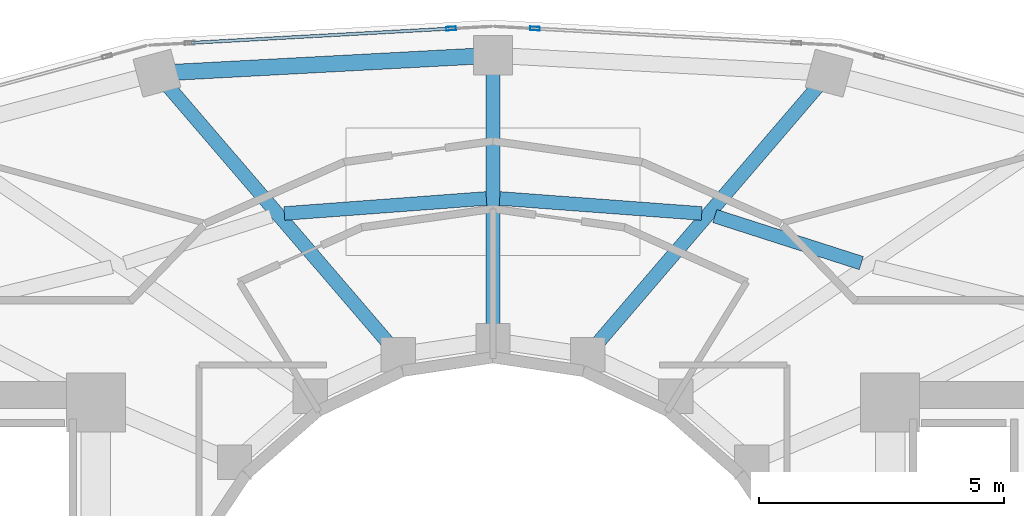
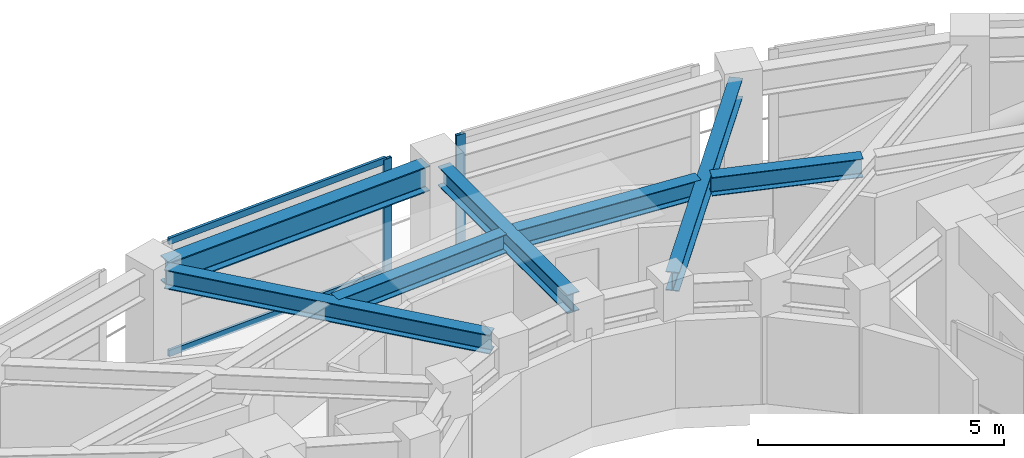
# One storey, part 8 of 19: 7 beams, 4 members, 2 elements without a shape of their own.
"""IFC4 building model written with IfcOpenShell, lengths in metres."""

from ifc_helpers import new_model, si_unit, direction, frame, origin, origin_2d, place, context, subcontext, project, spatial, hollow_rectangle, i_section, extrude, material, layer, layer_set, material_profile, profile_set, type_object, element, aggregate, save


model = new_model("IFC4")

# Units and contexts
model_context = context("Model", 3, precision=1e-05, world=origin(), true_north=direction((0.0, 1.0)))
body_context = subcontext(model_context, "Body", "Model", "MODEL_VIEW")
ifc_project = project(units=[si_unit("LENGTHUNIT", "METRE"), si_unit("AREAUNIT", "SQUARE_METRE"), si_unit("VOLUMEUNIT", "CUBIC_METRE"), si_unit("PLANEANGLEUNIT", "RADIAN"), si_unit("MASSUNIT", "GRAM", prefix="KILO")], contexts=[model_context])

# Site, building, storey
site_placement = place(None, origin())
site = spatial("IfcSite", under=ifc_project, at=site_placement, CompositionType="ELEMENT")
building_placement = place(site_placement, origin())
building = spatial("IfcBuilding", under=site, at=building_placement, Name="Solvane Sanctuary Tower", CompositionType="ELEMENT")
storey_placement = place(building_placement, frame((0.0, 0.0, 201.60009765625)))
storey = spatial("IfcBuildingStorey", under=building, at=storey_placement, Name="L61", CompositionType="ELEMENT", Elevation=201.60009765625)

# Beams
ifc_material_1 = material(Name="Steel ASTM A992 Grade 50", Category="steel")
ifc_material_profile_1 = material_profile(ifc_material_1, i_section(OverallWidth=0.282958984375, OverallDepth=0.471923828125, WebThickness=0.013671875, FlangeThickness=0.022216796875, FilletRadius=0.013916015625, at=origin_2d()), Name="W18X97")
ifc_profile_set_1 = profile_set([ifc_material_profile_1], Name="Steel ASTM A992 Grade 50")
beam_type_1 = type_object("IfcBeamType", Name="Beam B-RAD-Z4 W18X97", PredefinedType="JOIST", material=ifc_profile_set_1)
beam_1_placement = place(storey_placement, frame((34.113037109375, 31.38427734375, 2.641845703125), z_axis=(0.651023809724, 0.759057309544, 0.0), x_axis=(-0.759057309544, 0.651023809724, 0.0)))
element("IfcBeam", 1, at=beam_1_placement, inside=storey, type_object=beam_type_1, Name="L61 Radial Composite Floor Beam 03", PredefinedType="JOIST", context=body_context, shape_type="SweptSolid", body=[
    extrude(i_section(OverallWidth=0.282958984375, OverallDepth=0.471923828125, WebThickness=0.013671875, FlangeThickness=0.022216796875, FilletRadius=0.013916015625, at=origin_2d()), origin(), (0.0, 0.0, 1.0), 7.005615234375),
])
beam_2_placement = place(storey_placement, frame((32.0, 31.739990234375, 2.641845703125), z_axis=(0.0, 1.0, 0.0), x_axis=(-1.0, 0.0, 0.0)))
element("IfcBeam", 2, at=beam_2_placement, inside=storey, type_object=beam_type_1, Name="L61 Radial Composite Floor Beam 04", PredefinedType="JOIST", context=body_context, shape_type="SweptSolid", body=[
    extrude(i_section(OverallWidth=0.282958984375, OverallDepth=0.471923828125, WebThickness=0.013671875, FlangeThickness=0.022216796875, FilletRadius=0.013916015625, at=origin_2d()), origin(), (0.0, 0.0, 1.0), 5.260009765625),
])
beam_3_placement = place(storey_placement, frame((29.886962890625, 31.38427734375, 2.641845703125), z_axis=(-0.651023809724, 0.759057309544, 0.0), x_axis=(-0.759057309544, -0.651023809724, 0.0)))
element("IfcBeam", 3, at=beam_3_placement, inside=storey, type_object=beam_type_1, Name="L61 Radial Composite Floor Beam 05", PredefinedType="JOIST", context=body_context, shape_type="SweptSolid", body=[
    extrude(i_section(OverallWidth=0.282958984375, OverallDepth=0.471923828125, WebThickness=0.013671875, FlangeThickness=0.022216796875, FilletRadius=0.013916015625, at=origin_2d()), origin(), (0.0, 0.0, 1.0), 7.005615234375),
])
ifc_material_profile_2 = material_profile(ifc_material_1, i_section(OverallWidth=0.280029296875, OverallDepth=0.462890625, WebThickness=0.0107421875, FlangeThickness=0.017333984375, FilletRadius=0.013916015625, at=origin_2d()), Name="W18X76")
ifc_profile_set_2 = profile_set([ifc_material_profile_2], Name="Steel ASTM A992 Grade 50")
beam_type_2 = type_object("IfcBeamType", Name="Beam B-SEC-JOIST W18X76", PredefinedType="JOIST", material=ifc_profile_set_2)
for number, where, z_axis, x_axis, name in (
    (4, (27.74267578125, 34.052978515625, 2.646484375), (0.997239150169, 0.074256833823, 0.0), (-0.074256833823, 0.997239150169, 0.0), "L61 Secondary Circumferential Joist 05-04"),
    (5, (32.135986328125, 34.35986328125, 2.646484375), (0.997239150169, -0.074256833823, 0.0), (0.074256833823, 0.997239150169, 0.0), "L61 Secondary Circumferential Joist 04-03"),
):
    element("IfcBeam", number, at=place(storey_placement, frame(where, z_axis=z_axis, x_axis=x_axis)), inside=storey, type_object=beam_type_2, Name=name, PredefinedType="JOIST", context=body_context, shape_type="SweptSolid", body=[
        extrude(i_section(OverallWidth=0.280029296875, OverallDepth=0.462890625, WebThickness=0.0107421875, FlangeThickness=0.017333984375, FilletRadius=0.013916015625, at=origin_2d()), origin(), (0.0, 0.0, 1.0), 4.1328125),
    ])
beam_4_placement = place(storey_placement, frame((36.5234375, 34.001220703125, 2.646484375), z_axis=(0.952124803756, -0.305709597612, 0.0), x_axis=(0.305709597612, 0.952124803756, 0.0)))
element("IfcBeam", 6, at=beam_4_placement, inside=storey, type_object=beam_type_2, Name="L61 Secondary Circumferential Joist 03-02", PredefinedType="JOIST", context=body_context, shape_type="SweptSolid", body=[
    extrude(i_section(OverallWidth=0.280029296875, OverallDepth=0.462890625, WebThickness=0.0107421875, FlangeThickness=0.017333984375, FilletRadius=0.013916015625, at=origin_2d()), origin(), (0.0, 0.0, 1.0), 3.139404296875),
])
ifc_material_profile_3 = material_profile(ifc_material_1, i_section(OverallWidth=0.327880859375, OverallDepth=0.6279296875, WebThickness=0.0166015625, FlangeThickness=0.027587890625, FilletRadius=0.01611328125, at=origin_2d()), Name="W24X146")
ifc_profile_set_3 = profile_set([ifc_material_profile_3], Name="Steel ASTM A992 Grade 50")
beam_type_3 = type_object("IfcBeamType", Name="Beam B-SPAND-Z3 W24X146", PredefinedType="SPANDREL", material=ifc_profile_set_3)
beam_5_placement = place(storey_placement, frame((25.423583984375, 36.92919921875, 2.56396484375), z_axis=(0.998579926022, 0.05327411516, 0.0), x_axis=(-0.05327411516, 0.998579926022, 0.0)))
element("IfcBeam", 7, at=beam_5_placement, inside=storey, type_object=beam_type_3, Name="L61 Perimeter Spandrel Beam TC05-TC04", PredefinedType="SPANDREL", context=body_context, shape_type="SweptSolid", body=[
    extrude(i_section(OverallWidth=0.327880859375, OverallDepth=0.6279296875, WebThickness=0.0166015625, FlangeThickness=0.027587890625, FilletRadius=0.01611328125, at=origin_2d()), origin(), (0.0, 0.0, 1.0), 6.305908203125),
])

# Curtain wall, member
ifc_material_2 = material(Name="Anodised Aluminium 6063-T6", Category="aluminium")
ifc_layer = layer(ifc_material_2, 0.18994140625, Name="Anodised Aluminium 6063-T6")
ifc_layer_set = layer_set([ifc_layer], Name="Anodised Aluminium 6063-T6")
curtain_wall_type = type_object("IfcCurtainWallType", Name="Curtain Wall CW-OPER", PredefinedType="NOTDEFINED", material=ifc_layer_set)
curtain_wall_1_placement = place(storey_placement, origin())
curtain_wall_1 = element("IfcCurtainWall", 8, at=curtain_wall_1_placement, inside=storey, type_object=curtain_wall_type, Name="L61 CW-OPER Facade Run 05", PredefinedType="NOTDEFINED")
ifc_material_profile_4 = material_profile(ifc_material_2, hollow_rectangle(XDim=0.074951171875, YDim=0.199951171875, WallThickness=0.00390625, at=origin_2d()), Name="ALU200X75X4")
ifc_profile_set_4 = profile_set([ifc_material_profile_4], Name="Anodised Aluminium 6063-T6")
member_type_1 = type_object("IfcMemberType", Name="Member M-CW-MUL-1 ALU200X75X4", PredefinedType="MULLION", material=ifc_profile_set_4)
member_1_placement = place(storey_placement, frame((32.856201171875, 37.824951171875, 0.0), z_axis=(0.0, 0.0, 1.0), x_axis=(-0.054917553251, -0.99849089247, 0.0)))
member_1 = element("IfcMember", 9, at=member_1_placement, type_object=member_type_1, Name="CW-OPER mullion 2", PredefinedType="MULLION", context=body_context, shape_type="SweptSolid", body=[
    extrude(hollow_rectangle(XDim=0.074951171875, YDim=0.199951171875, WallThickness=0.00390625, at=origin_2d()), origin(), (0.0, 0.0, 1.0), 2.83984375),
])
aggregate(curtain_wall_1, [member_1])

# Curtain wall, members
curtain_wall_2_placement = place(storey_placement, origin())
curtain_wall_2 = element("IfcCurtainWall", 10, at=curtain_wall_2_placement, inside=storey, type_object=curtain_wall_type, Name="L61 CW-OPER Facade Run 06", PredefinedType="NOTDEFINED")
member_2_placement = place(storey_placement, frame((31.143798828125, 37.824951171875, 0.0), z_axis=(0.0, 0.0, 1.0), x_axis=(0.054917553251, -0.99849089247, 0.0)))
member_2 = element("IfcMember", 11, at=member_2_placement, type_object=member_type_1, Name="CW-OPER mullion 1", PredefinedType="MULLION", context=body_context, shape_type="SweptSolid", body=[
    extrude(hollow_rectangle(XDim=0.074951171875, YDim=0.199951171875, WallThickness=0.00390625, at=origin_2d()), origin(), (0.0, 0.0, 1.0), 2.83984375),
])
ifc_material_profile_5 = material_profile(ifc_material_2, hollow_rectangle(XDim=0.06494140625, YDim=0.159912109375, WallThickness=0.00341796875, at=origin_2d()), Name="ALU160X65X3.5")
ifc_profile_set_5 = profile_set([ifc_material_profile_5], Name="Anodised Aluminium 6063-T6")
member_type_2 = type_object("IfcMemberType", Name="Member M-CW-TRN-1 ALU160X65X3.5", PredefinedType="USERDEFINED", material=ifc_profile_set_5)
member_3_placement = place(storey_placement, frame((31.106201171875, 37.822998046875, 0.032470703125), z_axis=(-0.998490884706, -0.054917694407, 0.0), x_axis=(0.054917694407, -0.998490884706, 0.0)))
member_3 = element("IfcMember", 12, at=member_3_placement, type_object=member_type_2, Name="CW-OPER transom 1.1", ObjectType="TRANSOM", PredefinedType="USERDEFINED", context=body_context, shape_type="SweptSolid", body=[
    extrude(hollow_rectangle(XDim=0.06494140625, YDim=0.159912109375, WallThickness=0.00341796875, at=origin_2d()), origin(), (0.0, 0.0, 1.0), 5.263671875),
])
member_4_placement = place(storey_placement, frame((31.106201171875, 37.822998046875, 2.807373046875), z_axis=(-0.998490884706, -0.054917694407, 0.0), x_axis=(0.054917694407, -0.998490884706, 0.0)))
member_4 = element("IfcMember", 13, at=member_4_placement, type_object=member_type_2, Name="CW-OPER transom 1.2", ObjectType="TRANSOM", PredefinedType="USERDEFINED", context=body_context, shape_type="SweptSolid", body=[
    extrude(hollow_rectangle(XDim=0.06494140625, YDim=0.159912109375, WallThickness=0.00341796875, at=origin_2d()), origin(), (0.0, 0.0, 1.0), 5.263671875),
])
aggregate(curtain_wall_2, [member_2, member_3, member_4])

save(model, "model.ifc")
